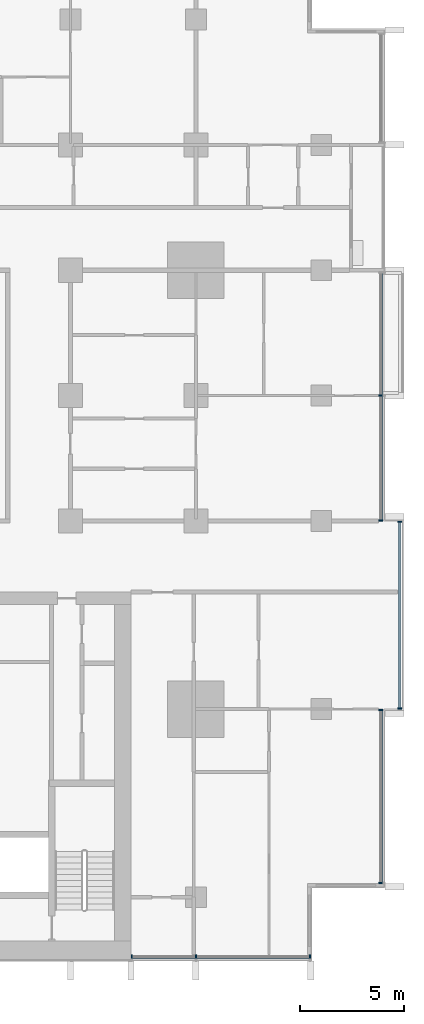
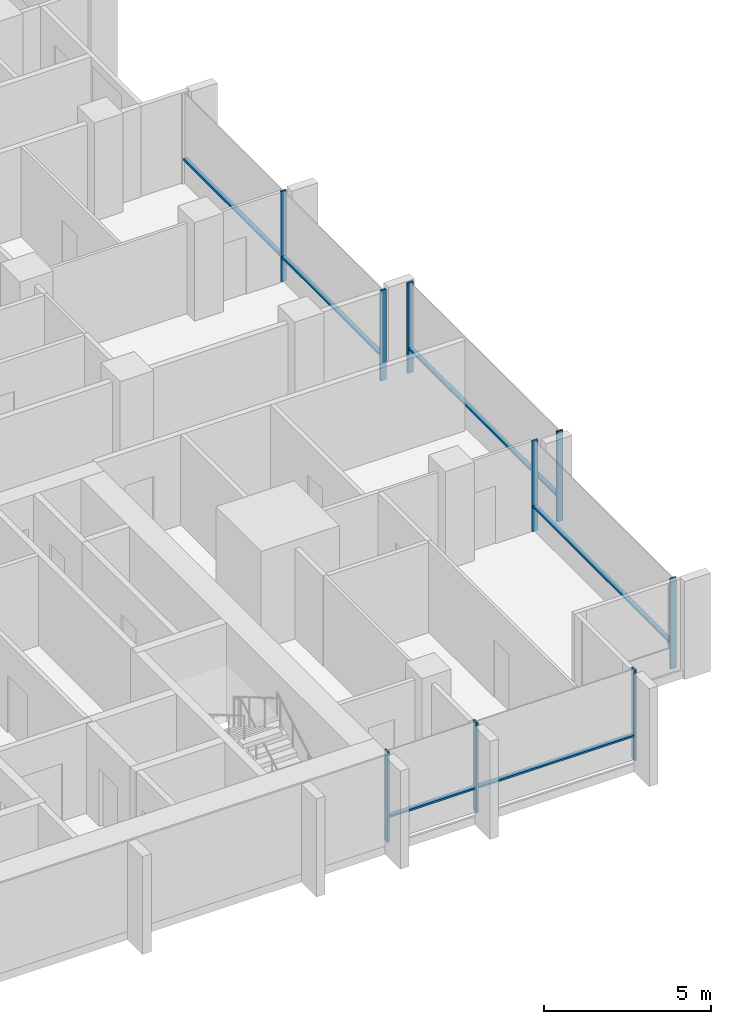
# One storey, part 3 of 19: 15 members, 4 elements without a shape of their own.
"""IFC4 building model written with IfcOpenShell, lengths in metres."""

from ifc_helpers import new_model, si_unit, direction, frame, origin, origin_2d, place, context, subcontext, project, spatial, rectangle, extrude, material, material_profile, profile_set, type_object, element, aggregate, save


model = new_model("IFC4")

# Units and contexts
model_context = context("Model", 3, precision=1e-05, world=origin(), true_north=direction((0.0, 1.0)))
body_context = subcontext(model_context, "Body", "Model", "MODEL_VIEW")
ifc_project = project(units=[si_unit("LENGTHUNIT", "METRE"), si_unit("AREAUNIT", "SQUARE_METRE"), si_unit("VOLUMEUNIT", "CUBIC_METRE"), si_unit("PLANEANGLEUNIT", "RADIAN"), si_unit("MASSUNIT", "GRAM", prefix="KILO")], contexts=[model_context])

# Site, building, storey
site_placement = place(None, origin())
site = spatial("IfcSite", under=ifc_project, at=site_placement, CompositionType="ELEMENT")
building_placement = place(site_placement, origin())
building = spatial("IfcBuilding", under=site, at=building_placement, Name="Finial Court Residences", CompositionType="ELEMENT")
storey_placement = place(building_placement, frame((0.0, 0.0, 88.300048828125)))
storey = spatial("IfcBuildingStorey", under=building, at=storey_placement, Name="L21", CompositionType="ELEMENT", Elevation=88.300048828125)

# Curtain wall, members
ifc_material = material(Name="Bronze anodised aluminium", Category="aluminium")
curtain_wall_type = type_object("IfcCurtainWallType", Name="Unitised curtain wall, lower and middle zones", PredefinedType="NOTDEFINED", material=ifc_material)
curtain_wall_1_placement = place(storey_placement, origin())
curtain_wall_1 = element("IfcCurtainWall", 1, at=curtain_wall_1_placement, inside=storey, type_object=curtain_wall_type, Name="E-L21-CW-E4", PredefinedType="NOTDEFINED")
ifc_material_profile_1 = material_profile(ifc_material, rectangle(XDim=0.199951171875, YDim=0.06494140625, at=origin_2d()), Name="CW1 mullion 65 x 200")
ifc_profile_set_1 = profile_set([ifc_material_profile_1], Name="Bronze anodised aluminium")
member_type_1 = type_object("IfcMemberType", Name="CW1 mullion 65 x 200", PredefinedType="MULLION", material=ifc_profile_set_1)
member_1_placement = place(storey_placement, frame((25.35009765625, -21.8173828125, 0.0), z_axis=(0.0, 0.0, 1.0), x_axis=(-1.0, 0.0, 0.0)))
member_1 = element("IfcMember", 2, at=member_1_placement, type_object=member_type_1, Name="CW1 mullion 1", PredefinedType="MULLION", context=body_context, shape_type="SweptSolid", body=[
    extrude(rectangle(XDim=0.199951171875, YDim=0.06494140625, at=origin_2d()), origin(), (0.0, 0.0, 1.0), 3.300048828125),
])
member_2_placement = place(storey_placement, frame((25.35009765625, -13.532470703125, 0.0), z_axis=(0.0, 0.0, 1.0), x_axis=(-1.0, 0.0, 0.0)))
member_2 = element("IfcMember", 3, at=member_2_placement, type_object=member_type_1, Name="CW1 mullion 2", PredefinedType="MULLION", context=body_context, shape_type="SweptSolid", body=[
    extrude(rectangle(XDim=0.199951171875, YDim=0.06494140625, at=origin_2d()), origin(), (0.0, 0.0, 1.0), 3.300048828125),
])

curtain_wall_2_placement = place(storey_placement, origin())
curtain_wall_2 = element("IfcCurtainWall", 4, at=curtain_wall_2_placement, inside=storey, type_object=curtain_wall_type, Name="E-L21-CW-E5", PredefinedType="NOTDEFINED")
member_3_placement = place(storey_placement, frame((26.25, -13.467529296875, 0.0), z_axis=(0.0, 0.0, 1.0), x_axis=(-1.0, 0.0, 0.0)))
member_3 = element("IfcMember", 5, at=member_3_placement, type_object=member_type_1, Name="CW1 mullion 1", PredefinedType="MULLION", context=body_context, shape_type="SweptSolid", body=[
    extrude(rectangle(XDim=0.199951171875, YDim=0.06494140625, at=origin_2d()), origin(), (0.0, 0.0, 1.0), 3.300048828125),
])
member_4_placement = place(storey_placement, frame((26.25, -4.532470703125, 0.0), z_axis=(0.0, 0.0, 1.0), x_axis=(-1.0, 0.0, 0.0)))
member_4 = element("IfcMember", 6, at=member_4_placement, type_object=member_type_1, Name="CW1 mullion 2", PredefinedType="MULLION", context=body_context, shape_type="SweptSolid", body=[
    extrude(rectangle(XDim=0.199951171875, YDim=0.06494140625, at=origin_2d()), origin(), (0.0, 0.0, 1.0), 3.300048828125),
])

curtain_wall_3_placement = place(storey_placement, origin())
curtain_wall_3 = element("IfcCurtainWall", 7, at=curtain_wall_3_placement, inside=storey, type_object=curtain_wall_type, Name="E-L21-CW-E6", PredefinedType="NOTDEFINED")
member_5_placement = place(storey_placement, frame((25.35009765625, -4.467529296875, 0.0), z_axis=(0.0, 0.0, 1.0), x_axis=(-1.0, 0.0, 0.0)))
member_5 = element("IfcMember", 8, at=member_5_placement, type_object=member_type_1, Name="CW1 mullion 1", PredefinedType="MULLION", context=body_context, shape_type="SweptSolid", body=[
    extrude(rectangle(XDim=0.199951171875, YDim=0.06494140625, at=origin_2d()), origin(), (0.0, 0.0, 1.0), 3.300048828125),
])
member_6_placement = place(storey_placement, frame((25.35009765625, 1.5, 0.0), z_axis=(0.0, 0.0, 1.0), x_axis=(-1.0, 0.0, 0.0)))
member_6 = element("IfcMember", 9, at=member_6_placement, type_object=member_type_1, Name="CW1 mullion 2", PredefinedType="MULLION", context=body_context, shape_type="SweptSolid", body=[
    extrude(rectangle(XDim=0.199951171875, YDim=0.06494140625, at=origin_2d()), origin(), (0.0, 0.0, 1.0), 3.300048828125),
])

curtain_wall_4_placement = place(storey_placement, origin())
curtain_wall_4 = element("IfcCurtainWall", 10, at=curtain_wall_4_placement, inside=storey, type_object=curtain_wall_type, Name="E-L21-CW-S9", PredefinedType="NOTDEFINED")
member_7_placement = place(storey_placement, frame((13.4326171875, -25.35009765625, 0.0), z_axis=(0.0, 0.0, 1.0), x_axis=(0.0, 1.0, 0.0)))
member_7 = element("IfcMember", 11, at=member_7_placement, type_object=member_type_1, Name="CW1 mullion 1", PredefinedType="MULLION", context=body_context, shape_type="SweptSolid", body=[
    extrude(rectangle(XDim=0.199951171875, YDim=0.06494140625, at=origin_2d()), origin(), (0.0, 0.0, 1.0), 3.300048828125),
])
member_8_placement = place(storey_placement, frame((16.5, -25.35009765625, 0.0), z_axis=(0.0, 0.0, 1.0), x_axis=(0.0, 1.0, 0.0)))
member_8 = element("IfcMember", 12, at=member_8_placement, type_object=member_type_1, Name="CW1 mullion 2", PredefinedType="MULLION", context=body_context, shape_type="SweptSolid", body=[
    extrude(rectangle(XDim=0.199951171875, YDim=0.06494140625, at=origin_2d()), origin(), (0.0, 0.0, 1.0), 3.300048828125),
])
member_9_placement = place(storey_placement, frame((21.967529296875, -25.35009765625, 0.0), z_axis=(0.0, 0.0, 1.0), x_axis=(0.0, 1.0, 0.0)))
member_9 = element("IfcMember", 13, at=member_9_placement, type_object=member_type_1, Name="CW1 mullion 3", PredefinedType="MULLION", context=body_context, shape_type="SweptSolid", body=[
    extrude(rectangle(XDim=0.199951171875, YDim=0.06494140625, at=origin_2d()), origin(), (0.0, 0.0, 1.0), 3.300048828125),
])

# Member
ifc_material_profile_2 = material_profile(ifc_material, rectangle(XDim=0.14990234375, YDim=0.06494140625, at=origin_2d()), Name="CW1 transom 65 x 150")
ifc_profile_set_2 = profile_set([ifc_material_profile_2], Name="Bronze anodised aluminium")
member_type_2 = type_object("IfcMemberType", Name="CW1 transom 65 x 150", PredefinedType="USERDEFINED", material=ifc_profile_set_2)
member_10_placement = place(storey_placement, frame((25.35009765625, -21.784912109375, 0.89990234375), z_axis=(0.0, 1.0, 0.0), x_axis=(-1.0, 0.0, 0.0)))
member_10 = element("IfcMember", 14, at=member_10_placement, type_object=member_type_2, Name="CW1 transom 1.1", ObjectType="TRANSOM", PredefinedType="USERDEFINED", context=body_context, shape_type="SweptSolid", body=[
    extrude(rectangle(XDim=0.14990234375, YDim=0.06494140625, at=origin_2d()), origin(), (0.0, 0.0, 1.0), 8.219970703125),
])

aggregate(curtain_wall_1, [member_1, member_2, member_10])

member_11_placement = place(storey_placement, frame((26.25, -13.43505859375, 0.89990234375), z_axis=(0.0, 1.0, 0.0), x_axis=(-1.0, 0.0, 0.0)))
member_11 = element("IfcMember", 15, at=member_11_placement, type_object=member_type_2, Name="CW1 transom 1.1", ObjectType="TRANSOM", PredefinedType="USERDEFINED", context=body_context, shape_type="SweptSolid", body=[
    extrude(rectangle(XDim=0.14990234375, YDim=0.06494140625, at=origin_2d()), origin(), (0.0, 0.0, 1.0), 8.8701171875),
])

aggregate(curtain_wall_2, [member_3, member_4, member_11])

member_12_placement = place(storey_placement, frame((25.35009765625, -4.43505859375, 0.89990234375), z_axis=(0.0, 1.0, 0.0), x_axis=(-1.0, 0.0, 0.0)))
member_12 = element("IfcMember", 16, at=member_12_placement, type_object=member_type_2, Name="CW1 transom 1.1", ObjectType="TRANSOM", PredefinedType="USERDEFINED", context=body_context, shape_type="SweptSolid", body=[
    extrude(rectangle(XDim=0.14990234375, YDim=0.06494140625, at=origin_2d()), origin(), (0.0, 0.0, 1.0), 5.902587890625),
])

member_13_placement = place(storey_placement, frame((25.35009765625, 1.532470703125, 0.89990234375), z_axis=(0.0, 1.0, 0.0), x_axis=(-1.0, 0.0, 0.0)))
member_13 = element("IfcMember", 17, at=member_13_placement, type_object=member_type_2, Name="CW1 transom 2.1", ObjectType="TRANSOM", PredefinedType="USERDEFINED", context=body_context, shape_type="SweptSolid", body=[
    extrude(rectangle(XDim=0.14990234375, YDim=0.06494140625, at=origin_2d()), origin(), (0.0, 0.0, 1.0), 5.82763671875),
])

aggregate(curtain_wall_3, [member_5, member_6, member_12, member_13])

member_14_placement = place(storey_placement, frame((13.465087890625, -25.35009765625, 0.89990234375), z_axis=(1.0, 0.0, 0.0), x_axis=(0.0, 1.0, 0.0)))
member_14 = element("IfcMember", 18, at=member_14_placement, type_object=member_type_2, Name="CW1 transom 1.1", ObjectType="TRANSOM", PredefinedType="USERDEFINED", context=body_context, shape_type="SweptSolid", body=[
    extrude(rectangle(XDim=0.14990234375, YDim=0.06494140625, at=origin_2d()), origin(), (0.0, 0.0, 1.0), 3.00244140625),
])

member_15_placement = place(storey_placement, frame((16.532470703125, -25.35009765625, 0.89990234375), z_axis=(1.0, 0.0, 0.0), x_axis=(0.0, 1.0, 0.0)))
member_15 = element("IfcMember", 19, at=member_15_placement, type_object=member_type_2, Name="CW1 transom 2.1", ObjectType="TRANSOM", PredefinedType="USERDEFINED", context=body_context, shape_type="SweptSolid", body=[
    extrude(rectangle(XDim=0.14990234375, YDim=0.06494140625, at=origin_2d()), origin(), (0.0, 0.0, 1.0), 5.402587890625),
])

aggregate(curtain_wall_4, [member_7, member_8, member_9, member_14, member_15])

save(model, "model.ifc")
